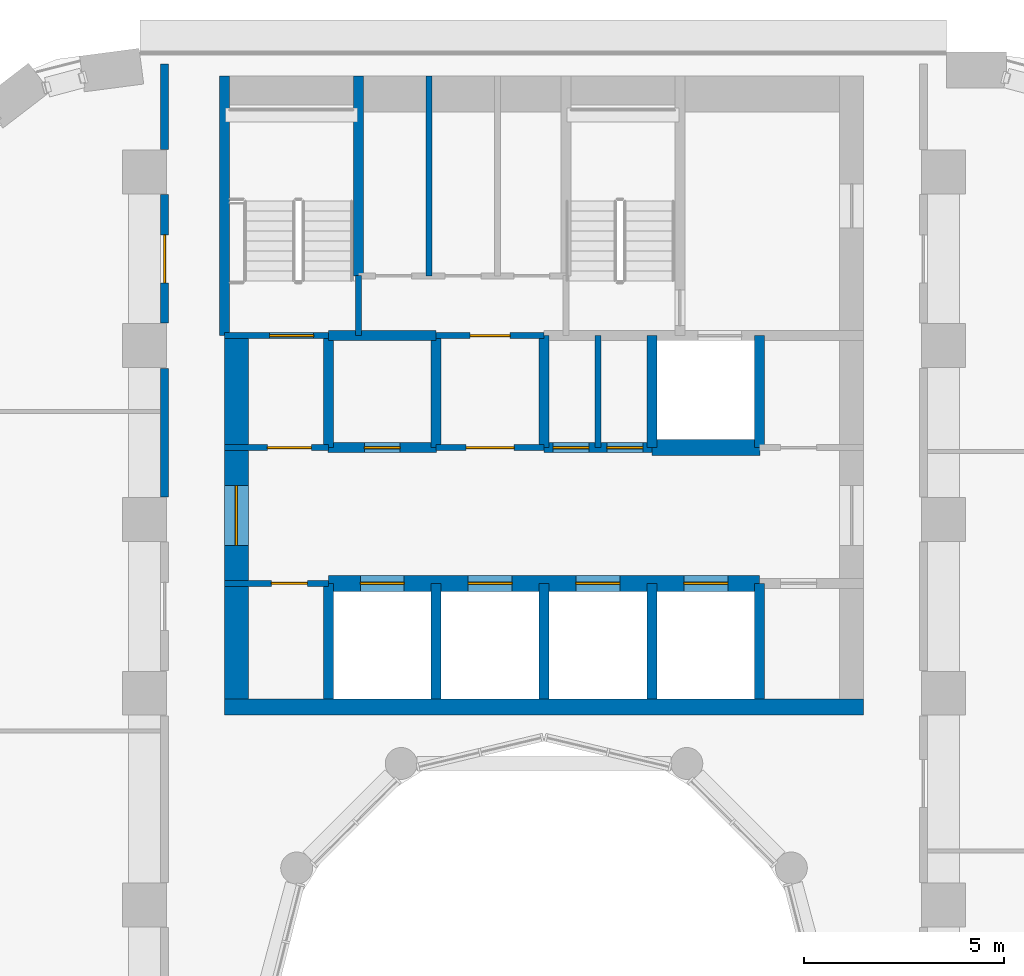
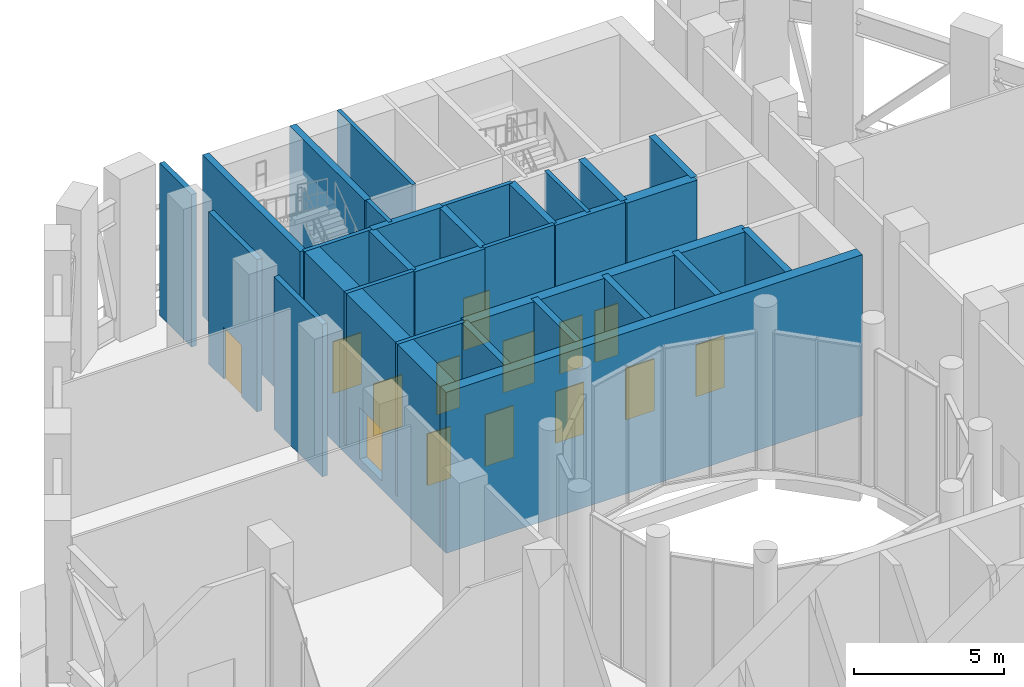
# One storey, part 10 of 20: 30 walls, 14 doors, 14 openings.
"""IFC4 building model written with IfcOpenShell, lengths in metres."""

import ifcopenshell
import ifcopenshell.guid

model = None  # the IFC model being written
_history = None  # IfcOwnerHistory: only IFC2X3 demands one
_inside = {}  # id of a spatial element -> (the spatial element, [elements in it])
_under = {}  # id of a project, library or spatial element -> (it, [spatial elements below it])
_declared = {}  # id of a project -> (the project, [libraries it declares])
_typed = {}  # id of a type object -> (the type object, [elements of that type])
_made_of = {}  # id of a material, layer set ... -> (it, [elements and type objects made of it])


def new_model(schema):
    """Start an empty IFC model of exactly this schema.

    Asked for "IFC4X3", IfcOpenShell would pick the latest addendum, in which some entities
    have other attributes; the version numbers below select the first issue.
    IFC2X3 requires an IfcOwnerHistory on every rooted entity: one is made here for all.
    """
    global model, _history
    if schema == "IFC4X3":
        model = ifcopenshell.file(schema_version=(4, 3, 0, 0))
    else:
        model = ifcopenshell.file(schema=schema)
    _inside.clear()
    _under.clear()
    _declared.clear()
    _typed.clear()
    _made_of.clear()
    _history = None
    if model.schema == "IFC2X3":
        org = make("IfcOrganization", Name="unknown")
        user = make(
            "IfcPersonAndOrganization",
            ThePerson=make("IfcPerson", FamilyName="unknown"),
            TheOrganization=org,
        )
        app = make(
            "IfcApplication",
            ApplicationDeveloper=org,
            Version="unknown",
            ApplicationFullName="unknown",
            ApplicationIdentifier="unknown",
        )
        _history = make(
            "IfcOwnerHistory",
            OwningUser=user,
            OwningApplication=app,
            ChangeAction="ADDED",
            CreationDate=0,
        )
    return model


def make(cls, **values):
    """One entity of the class cls with the attributes given. An attribute that is None is left unset."""
    return model.create_entity(
        cls, **{name: value for name, value in values.items() if value is not None}
    )


def rooted(cls, **values):
    """An entity with a GlobalId (a new one), such as an element, a storey or a relation."""
    return make(cls, GlobalId=ifcopenshell.guid.new(), OwnerHistory=_history, **values)


def si_unit(unit_type, name, prefix=None):
    """IfcSIUnit, for example si_unit("LENGTHUNIT", "METRE", prefix="MILLI")."""
    return make("IfcSIUnit", UnitType=unit_type, Prefix=prefix, Name=name)


def assignment(units):
    """IfcUnitAssignment: the units of a project."""
    return None if units is None else make("IfcUnitAssignment", Units=units)


def point(xyz):
    """IfcCartesianPoint."""
    return None if xyz is None else make("IfcCartesianPoint", Coordinates=xyz)


def direction(xyz):
    """IfcDirection."""
    return None if xyz is None else make("IfcDirection", DirectionRatios=xyz)


def frame(location, z_axis=None, x_axis=None):
    """IfcAxis2Placement3D, a coordinate frame: its origin and axes. An axis left out is left unset."""
    return make(
        "IfcAxis2Placement3D",
        Location=point(location),
        Axis=direction(z_axis),
        RefDirection=direction(x_axis),
    )


def frame_2d(location, x_axis=None):
    """IfcAxis2Placement2D, a coordinate frame in the plane: its origin and x axis."""
    return make(
        "IfcAxis2Placement2D", Location=point(location), RefDirection=direction(x_axis)
    )


def origin():
    """The frame at (0, 0, 0) with its axes left unset."""
    return frame((0.0, 0.0, 0.0))


def place(relative_to, where):
    """IfcLocalPlacement: puts the frame where relative to a parent placement (None: the world)."""
    return make(
        "IfcLocalPlacement", PlacementRelTo=relative_to, RelativePlacement=where
    )


def context(
    kind, dimensions, precision=None, world=None, true_north=None, identifier=None
):
    """IfcGeometricRepresentationContext, for example the 3D "Model" context."""
    return make(
        "IfcGeometricRepresentationContext",
        ContextIdentifier=identifier,
        ContextType=kind,
        CoordinateSpaceDimension=dimensions,
        Precision=precision,
        WorldCoordinateSystem=world,
        TrueNorth=true_north,
    )


def subcontext(parent, identifier, kind, view, scale=None):
    """IfcGeometricRepresentationSubContext, for example "Body" below "Model"."""
    return make(
        "IfcGeometricRepresentationSubContext",
        ContextIdentifier=identifier,
        ContextType=kind,
        ParentContext=parent,
        TargetScale=scale,
        TargetView=view,
    )


def project(units=None, contexts=None):
    """IfcProject with its units and contexts."""
    return rooted(
        "IfcProject",
        Name="project",
        RepresentationContexts=contexts,
        UnitsInContext=assignment(units),
    )


def spatial(cls, under=None, at=None, **own):
    """A site, building, storey or space (cls), placed at a placement, below another one or the project."""
    s = rooted(cls, ObjectPlacement=at, **own)
    if under is not None:
        _under.setdefault(under.id(), (under, []))[1].append(s)
    return s


def profile(cls, at=None, kind="AREA", **sizes):
    """A parametric profile (cls). Its sizes go by their IFC names, for example OverallWidth=200.0."""
    return make(cls, ProfileType=kind, Position=at, **sizes)


def rectangle(**sizes):
    """IfcRectangleProfileDef."""
    return profile("IfcRectangleProfileDef", **sizes)


def extrude(swept, where, along, depth):
    """IfcExtrudedAreaSolid: the profile swept, set in the frame where, extruded along a direction by depth."""
    return make(
        "IfcExtrudedAreaSolid",
        SweptArea=swept,
        Position=where,
        ExtrudedDirection=direction(along),
        Depth=depth,
    )


def shape(context_of_items, identifier, shape_type, items):
    """IfcShapeRepresentation: the items that make up one representation, for example the "Body"."""
    return make(
        "IfcShapeRepresentation",
        ContextOfItems=context_of_items,
        RepresentationIdentifier=identifier,
        RepresentationType=shape_type,
        Items=items,
    )


def material(Name=None, Category=None):
    """IfcMaterial."""
    return make("IfcMaterial", Name=Name, Category=Category)


def layer(
    of_material, thickness, ventilated=None, Name=None, Category=None, Priority=None
):
    """IfcMaterialLayer: one layer of a wall or slab, of a material (None: an air gap)."""
    return make(
        "IfcMaterialLayer",
        Material=of_material,
        LayerThickness=thickness,
        IsVentilated=ventilated,
        Name=Name,
        Category=Category,
        Priority=Priority,
    )


def layer_set(layers, Name=None):
    """IfcMaterialLayerSet."""
    return make("IfcMaterialLayerSet", MaterialLayers=layers, LayerSetName=Name)


def made_of(thing, what):
    """Note that an element or type object is made of a material, layer set ...; save() writes the relation."""
    if what is not None:
        _made_of.setdefault(what.id(), (what, []))[1].append(thing)
    return thing


def type_object(cls, material=None, **own):
    """A type object (cls), such as IfcWallType, which elements share."""
    return made_of(rooted(cls, **own), material)


def element(
    cls,
    number,
    at=None,
    inside=None,
    cuts=None,
    type_object=None,
    material=None,
    context=None,
    identifier="Body",
    shape_type=None,
    held_by="IfcProductDefinitionShape",
    body=None,
    shapes=None,
    **own,
):
    """One element of the class cls, such as IfcWall. Its Tag is "e" and its number.

    at: its placement. inside: the storey or other place that contains it. cuts: it is an
    opening in that element (IfcRelVoidsElement). A single representation is given by context,
    identifier, shape_type and body (its items); several are given by shapes. held_by: the class
    of the entity that holds the representations. save() writes the other relations.
    """
    e = rooted(cls, Tag="e%d" % number, ObjectPlacement=at, **own)
    if body is not None:
        shapes = [shape(context, identifier, shape_type, body)]
    if shapes is not None:
        e.Representation = make(held_by, Representations=shapes)
    if inside is not None:
        _inside.setdefault(inside.id(), (inside, []))[1].append(e)
    if cuts is not None:
        rooted(
            "IfcRelVoidsElement", RelatingBuildingElement=cuts, RelatedOpeningElement=e
        )
    if type_object is not None:
        _typed.setdefault(type_object.id(), (type_object, []))[1].append(e)
    return made_of(e, material)


def fill(opening, filler):
    """IfcRelFillsElement: the door or window that sits in an opening."""
    return rooted(
        "IfcRelFillsElement",
        RelatingOpeningElement=opening,
        RelatedBuildingElement=filler,
    )


def aggregate(whole, parts):
    """IfcRelAggregates: a whole, such as a stair, and the parts it consists of."""
    return rooted("IfcRelAggregates", RelatingObject=whole, RelatedObjects=parts)


def save(model, path):
    """Write the relations noted so far, then the file.

    IfcRelAggregates (storeys below a building ...), IfcRelContainedInSpatialStructure (elements
    in a storey), IfcRelDefinesByType, IfcRelAssociatesMaterial and IfcRelDeclares: one each for
    every whole, place, type object, material and project.
    """
    for whole, parts in _under.values():
        aggregate(whole, parts)
    for where, things in _inside.values():
        rooted(
            "IfcRelContainedInSpatialStructure",
            RelatedElements=things,
            RelatingStructure=where,
        )
    for kind, things in _typed.values():
        rooted("IfcRelDefinesByType", RelatedObjects=things, RelatingType=kind)
    for what, things in _made_of.values():
        rooted("IfcRelAssociatesMaterial", RelatedObjects=things, RelatingMaterial=what)
    for by, libraries in _declared.values():
        rooted("IfcRelDeclares", RelatingContext=by, RelatedDefinitions=libraries)
    model.write(path)


model = new_model("IFC4")

# Units and contexts
model_context = context("Model", 3, precision=1e-05, world=origin(), true_north=direction((0.0, 1.0)))
body_context = subcontext(model_context, "Body", "Model", "MODEL_VIEW")
ifc_project = project(units=[si_unit("LENGTHUNIT", "METRE"), si_unit("AREAUNIT", "SQUARE_METRE"), si_unit("VOLUMEUNIT", "CUBIC_METRE"), si_unit("PLANEANGLEUNIT", "RADIAN"), si_unit("MASSUNIT", "GRAM", prefix="KILO")], contexts=[model_context])

# Site, building, storey
site_placement = place(None, origin())
site = spatial("IfcSite", under=ifc_project, at=site_placement, CompositionType="ELEMENT")
building_placement = place(site_placement, origin())
building = spatial("IfcBuilding", under=site, at=building_placement, Name="Nakaniwa Court", CompositionType="ELEMENT")
storey_placement = place(building_placement, frame((0.0, 0.0, 71.10009765625)))
storey = spatial("IfcBuildingStorey", under=building, at=storey_placement, Name="S1", CompositionType="ELEMENT", Elevation=71.10009765625)

# Wall
ifc_material_1 = material(Name="Acoustic double stud partition")
ifc_layer_1 = layer(ifc_material_1, 0.199951171875)
ifc_layer_set_1 = layer_set([ifc_layer_1], Name="Acoustic double stud partition")
wall_type_1 = type_object("IfcWallType", Name="Acoustic double stud partition 200", PredefinedType="PARTITIONING", material=ifc_layer_set_1)
wall_1_placement = place(storey_placement, frame((70.5, 92.866943359375, 0.0), z_axis=(0.0, 0.0, 1.0), x_axis=(0.0, 1.0, 0.0)))
element("IfcWall", 1, at=wall_1_placement, inside=storey, type_object=wall_type_1, Name="Partition PW-094", PredefinedType="PARTITIONING", context=body_context, shape_type="SweptSolid", body=[
    extrude(rectangle(XDim=3.216064453125, YDim=0.199951171875, at=frame_2d((1.60791015625, 0.0))), origin(), (0.0, 0.0, 1.0), 6.18994140625),
])

# Wall, opening, door
wall_2_placement = place(storey_placement, frame((70.5, 97.217041015625, 0.0), z_axis=(0.0, 0.0, 1.0), x_axis=(0.0, 1.0, 0.0)))
wall_2 = element("IfcWall", 2, at=wall_2_placement, inside=storey, type_object=wall_type_1, Name="Partition PW-095", PredefinedType="PARTITIONING", context=body_context, shape_type="SweptSolid", body=[
    extrude(rectangle(XDim=3.216064453125, YDim=0.199951171875, at=frame_2d((1.60791015625, 0.0))), origin(), (0.0, 0.0, 1.0), 6.18994140625),
])
opening_1_placement = place(wall_2_placement, frame((1.008056640625, 0.0, 0.0)))
opening_1 = element("IfcOpeningElement", 3, at=opening_1_placement, cuts=wall_2, Name="Opening D-30-06", PredefinedType="OPENING", context=body_context, shape_type="SweptSolid", body=[
    extrude(rectangle(XDim=1.199951171875, YDim=2.10009765625, at=frame_2d((0.60009765625, 1.050048828125))), frame((0.0, 0.10986328125, 0.0), z_axis=(0.0, -1.0, 0.0), x_axis=(1.0, 0.0, 0.0)), (0.0, 0.0, 1.0), 0.219970703125),
])
ifc_material_2 = material(Name="Solid core timber door set, black veneer", Category="wood")
door_type_1 = type_object("IfcDoorType", Name="Internal door 1200", OperationType="NOTDEFINED", PredefinedType="DOOR", material=ifc_material_2)
door_1_placement = place(opening_1_placement, origin())
door_1 = element("IfcDoor", 4, at=door_1_placement, inside=storey, type_object=door_type_1, Name="Door D-30-06 S1-038", OperationType="SINGLE_SWING_LEFT", OverallHeight=2.10009765625, OverallWidth=1.199951171875, PredefinedType="DOOR", context=body_context, shape_type="SweptSolid", body=[
    extrude(rectangle(XDim=1.199951171875, YDim=2.10009765625, at=frame_2d((0.60009765625, 1.050048828125))), frame((0.0, 0.02490234375, 0.0), z_axis=(0.0, -1.0, 0.0), x_axis=(1.0, 0.0, 0.0)), (0.0, 0.0, 1.0), 0.050048828125),
])
fill(opening_1, door_1)

# Wall
wall_3_placement = place(storey_placement, frame((70.5, 101.56689453125, 0.0), z_axis=(0.0, 0.0, 1.0), x_axis=(0.0, 1.0, 0.0)))
element("IfcWall", 5, at=wall_3_placement, inside=storey, type_object=wall_type_1, Name="Partition PW-096", PredefinedType="PARTITIONING", context=body_context, shape_type="SweptSolid", body=[
    extrude(rectangle(XDim=2.133056640625, YDim=0.199951171875, at=frame_2d((1.06640625, 0.0))), origin(), (0.0, 0.0, 1.0), 6.18994140625),
])

# Wall, opening, door
ifc_material_3 = material(Name="Blockwork partition", Category="masonry")
ifc_layer_2 = layer(ifc_material_3, 0.14990234375)
ifc_layer_set_2 = layer_set([ifc_layer_2], Name="Blockwork partition")
wall_type_2 = type_object("IfcWallType", Name="Blockwork partition 150", PredefinedType="PARTITIONING", material=ifc_layer_set_2)
wall_4_placement = place(storey_placement, frame((74.60009765625, 90.699951171875, 0.0), z_axis=(0.0, 0.0, 1.0), x_axis=(-1.0, 0.0, 0.0)))
wall_4 = element("IfcWall", 6, at=wall_4_placement, inside=storey, type_object=wall_type_2, Name="Partition PW-003", PredefinedType="PARTITIONING", context=body_context, shape_type="SweptSolid", body=[
    extrude(rectangle(XDim=2.60009765625, YDim=0.14990234375, at=frame_2d((1.300048828125, 0.0))), origin(), (0.0, 0.0, 1.0), 6.18994140625),
])
opening_2_placement = place(wall_4_placement, frame((0.52490234375, 0.0, 0.0)))
opening_2 = element("IfcOpeningElement", 7, at=opening_2_placement, cuts=wall_4, Name="Opening D-05-01", PredefinedType="OPENING", context=body_context, shape_type="SweptSolid", body=[
    extrude(rectangle(XDim=0.89990234375, YDim=2.10009765625, at=frame_2d((0.449951171875, 1.050048828125))), frame((0.0, 0.0849609375, 0.0), z_axis=(0.0, -1.0, 0.0), x_axis=(1.0, 0.0, 0.0)), (0.0, 0.0, 1.0), 0.169921875),
])
ifc_material_4 = material(Name="Fire rated steel door set", Category="steel")
door_type_2 = type_object("IfcDoorType", Name="Service room door 900", OperationType="NOTDEFINED", PredefinedType="DOOR", material=ifc_material_4)
door_2_placement = place(opening_2_placement, origin())
door_2 = element("IfcDoor", 8, at=door_2_placement, inside=storey, type_object=door_type_2, Name="Door D-05-01 S1-001", OperationType="SINGLE_SWING_RIGHT", OverallHeight=2.10009765625, OverallWidth=0.89990234375, PredefinedType="DOOR", context=body_context, shape_type="SweptSolid", body=[
    extrude(rectangle(XDim=0.89990234375, YDim=2.10009765625, at=frame_2d((0.449951171875, 1.050048828125))), frame((0.0, 0.02490234375, 0.0), z_axis=(0.0, -1.0, 0.0), x_axis=(1.0, 0.0, 0.0)), (0.0, 0.0, 1.0), 0.050048828125),
])
fill(opening_2, door_2)

wall_5_placement = place(storey_placement, frame((72.0, 94.10009765625, 0.0), z_axis=(0.0, 0.0, 1.0), x_axis=(1.0, 0.0, 0.0)))
wall_5 = element("IfcWall", 9, at=wall_5_placement, inside=storey, type_object=wall_type_2, Name="Partition PW-016", PredefinedType="PARTITIONING", context=body_context, shape_type="SweptSolid", body=[
    extrude(rectangle(XDim=2.60302734375, YDim=0.14990234375, at=frame_2d((1.301513671875, 0.0))), origin(), (0.0, 0.0, 1.0), 6.18994140625),
])
opening_3_placement = place(wall_5_placement, frame((1.074951171875, 0.0, 0.0)))
opening_3 = element("IfcOpeningElement", 10, at=opening_3_placement, cuts=wall_5, Name="Opening D-08-01", PredefinedType="OPENING", context=body_context, shape_type="SweptSolid", body=[
    extrude(rectangle(XDim=1.10009765625, YDim=2.10009765625, at=frame_2d((0.550048828125, 1.050048828125))), frame((0.0, 0.0849609375, 0.0), z_axis=(0.0, -1.0, 0.0), x_axis=(1.0, 0.0, 0.0)), (0.0, 0.0, 1.0), 0.169921875),
])
door_type_3 = type_object("IfcDoorType", Name="Stair lobby door 1100", OperationType="NOTDEFINED", PredefinedType="DOOR", material=ifc_material_4)
door_3_placement = place(opening_3_placement, origin())
door_3 = element("IfcDoor", 11, at=door_3_placement, inside=storey, type_object=door_type_3, Name="Door D-08-01 S1-003", OperationType="SINGLE_SWING_RIGHT", OverallHeight=2.10009765625, OverallWidth=1.10009765625, PredefinedType="DOOR", context=body_context, shape_type="SweptSolid", body=[
    extrude(rectangle(XDim=1.10009765625, YDim=2.10009765625, at=frame_2d((0.550048828125, 1.050048828125))), frame((0.0, 0.02490234375, 0.0), z_axis=(0.0, -1.0, 0.0), x_axis=(1.0, 0.0, 0.0)), (0.0, 0.0, 1.0), 0.050048828125),
])
fill(opening_3, door_3)

wall_6_placement = place(storey_placement, frame((77.297119140625, 94.10009765625, 0.0), z_axis=(0.0, 0.0, 1.0), x_axis=(1.0, 0.0, 0.0)))
wall_6 = element("IfcWall", 12, at=wall_6_placement, inside=storey, type_object=wall_type_2, Name="Partition PW-017", PredefinedType="PARTITIONING", context=body_context, shape_type="SweptSolid", body=[
    extrude(rectangle(XDim=2.705810546875, YDim=0.14990234375, at=frame_2d((1.35302734375, 0.0))), origin(), (0.0, 0.0, 1.0), 6.18994140625),
])
opening_4_placement = place(wall_6_placement, frame((0.7529296875, 0.0, 0.0)))
opening_4 = element("IfcOpeningElement", 13, at=opening_4_placement, cuts=wall_6, Name="Opening D-06-01", PredefinedType="OPENING", context=body_context, shape_type="SweptSolid", body=[
    extrude(rectangle(XDim=1.199951171875, YDim=2.10009765625, at=frame_2d((0.60009765625, 1.050048828125))), frame((0.0, 0.0849609375, 0.0), z_axis=(0.0, -1.0, 0.0), x_axis=(1.0, 0.0, 0.0)), (0.0, 0.0, 1.0), 0.169921875),
])
ifc_material_5 = material(Name="Fire rated steel double door set", Category="steel")
door_type_4 = type_object("IfcDoorType", Name="Service passage double door 1200", OperationType="NOTDEFINED", PredefinedType="DOOR", material=ifc_material_5)
door_4_placement = place(opening_4_placement, origin())
door_4 = element("IfcDoor", 14, at=door_4_placement, inside=storey, type_object=door_type_4, Name="Door D-06-01 S1-005", OperationType="DOUBLE_DOOR_SINGLE_SWING", OverallHeight=2.10009765625, OverallWidth=1.199951171875, PredefinedType="DOOR", context=body_context, shape_type="SweptSolid", body=[
    extrude(rectangle(XDim=1.199951171875, YDim=2.10009765625, at=frame_2d((0.60009765625, 1.050048828125))), frame((0.0, 0.02490234375, 0.0), z_axis=(0.0, -1.0, 0.0), x_axis=(1.0, 0.0, 0.0)), (0.0, 0.0, 1.0), 0.050048828125),
])
fill(opening_4, door_4)

wall_7_placement = place(storey_placement, frame((77.300048828125, 96.89990234375, 0.0), z_axis=(0.0, 0.0, 1.0), x_axis=(1.0, 0.0, 0.0)))
wall_7 = element("IfcWall", 15, at=wall_7_placement, inside=storey, type_object=wall_type_2, Name="Partition PW-025", PredefinedType="PARTITIONING", context=body_context, shape_type="SweptSolid", body=[
    extrude(rectangle(XDim=2.699951171875, YDim=0.14990234375, at=frame_2d((1.35009765625, 0.0))), origin(), (0.0, 0.0, 1.0), 6.18994140625),
])
opening_5_placement = place(wall_7_placement, frame((0.85009765625, 0.0, 0.0)))
opening_5 = element("IfcOpeningElement", 16, at=opening_5_placement, cuts=wall_7, Name="Opening D-23-01", PredefinedType="OPENING", context=body_context, shape_type="SweptSolid", body=[
    extrude(rectangle(XDim=1.0, YDim=2.10009765625, at=frame_2d((0.5, 1.050048828125))), frame((0.0, 0.0849609375, 0.0), z_axis=(0.0, -1.0, 0.0), x_axis=(1.0, 0.0, 0.0)), (0.0, 0.0, 1.0), 0.169921875),
])
door_type_5 = type_object("IfcDoorType", Name="Service room door 1000", OperationType="NOTDEFINED", PredefinedType="DOOR", material=ifc_material_4)
door_5_placement = place(opening_5_placement, origin())
door_5 = element("IfcDoor", 17, at=door_5_placement, inside=storey, type_object=door_type_5, Name="Door D-23-01 S1-009", OperationType="SINGLE_SWING_RIGHT", OverallHeight=2.10009765625, OverallWidth=1.0, PredefinedType="DOOR", context=body_context, shape_type="SweptSolid", body=[
    extrude(rectangle(XDim=1.0, YDim=2.10009765625, at=frame_2d((0.5, 1.050048828125))), frame((0.0, 0.02490234375, 0.0), z_axis=(0.0, -1.0, 0.0), x_axis=(1.0, 0.0, 0.0)), (0.0, 0.0, 1.0), 0.050048828125),
])
fill(opening_5, door_5)

# Walls
wall_8_placement = place(storey_placement, frame((81.35009765625, 94.10009765625, 0.0), z_axis=(0.0, 0.0, 1.0), x_axis=(0.0, 1.0, 0.0)))
element("IfcWall", 18, at=wall_8_placement, inside=storey, type_object=wall_type_2, Name="Partition PW-026", PredefinedType="PARTITIONING", context=body_context, shape_type="SweptSolid", body=[
    extrude(rectangle(XDim=2.7998046875, YDim=0.14990234375, at=frame_2d((1.39990234375, 0.0))), origin(), (0.0, 0.0, 1.0), 6.18994140625),
])
wall_9_placement = place(storey_placement, frame((77.117919921875, 98.39990234375, 0.0), z_axis=(0.0, 0.0, 1.0), x_axis=(0.0, 1.0, 0.0)))
element("IfcWall", 19, at=wall_9_placement, inside=storey, type_object=wall_type_2, Name="Partition PW-034", PredefinedType="PARTITIONING", context=body_context, shape_type="SweptSolid", body=[
    extrude(rectangle(XDim=5.0, YDim=0.14990234375, at=frame_2d((2.5, 0.0))), origin(), (0.0, 0.0, 1.0), 6.18994140625),
])

# Wall, opening, door
ifc_material_6 = material(Name="Concrete C100/115", Category="concrete")
ifc_layer_3 = layer(ifc_material_6, 0.60009765625)
ifc_layer_set_3 = layer_set([ifc_layer_3], Name="Concrete C100/115")
wall_type_3 = type_object("IfcWallType", Name="Concrete core side wall 600 C100", PredefinedType="SHEAR", material=ifc_layer_set_3)
wall_10_placement = place(storey_placement, frame((72.300048828125, 87.800048828125, -0.35009765625), z_axis=(0.0, 0.0, 1.0), x_axis=(0.0, 1.0, 0.0)))
wall_10 = element("IfcWall", 20, at=wall_10_placement, inside=storey, type_object=wall_type_3, Name="Core wall SW-04", PredefinedType="SHEAR", context=body_context, shape_type="SweptSolid", body=[
    extrude(rectangle(XDim=9.099853515625, YDim=0.60009765625, at=frame_2d((4.5498046875, 0.0))), origin(), (0.0, 0.0, 1.0), 6.5400390625),
])
opening_6_placement = place(wall_10_placement, frame((3.85009765625, 0.0, 0.35009765625)))
opening_6 = element("IfcOpeningElement", 21, at=opening_6_placement, cuts=wall_10, Name="Opening D-07-02", PredefinedType="OPENING", context=body_context, shape_type="SweptSolid", body=[
    extrude(rectangle(XDim=1.5, YDim=2.10009765625, at=frame_2d((0.75, 1.050048828125))), frame((0.0, 0.31005859375, 0.0), z_axis=(0.0, -1.0, 0.0), x_axis=(1.0, 0.0, 0.0)), (0.0, 0.0, 1.0), 0.6201171875),
])
ifc_material_7 = material(Name="Glazed fire rated steel double door set", Category="steel")
door_type_6 = type_object("IfcDoorType", Name="Lobby double door 1500", OperationType="NOTDEFINED", PredefinedType="DOOR", material=ifc_material_7)
door_6_placement = place(opening_6_placement, origin())
door_6 = element("IfcDoor", 22, at=door_6_placement, inside=storey, type_object=door_type_6, Name="Door D-07-02 S1-040", OperationType="DOUBLE_DOOR_SINGLE_SWING", OverallHeight=2.10009765625, OverallWidth=1.5, PredefinedType="DOOR", context=body_context, shape_type="SweptSolid", body=[
    extrude(rectangle(XDim=1.5, YDim=2.10009765625, at=frame_2d((0.75, 1.050048828125))), frame((0.0, 0.02490234375, 0.0), z_axis=(0.0, -1.0, 0.0), x_axis=(1.0, 0.0, 0.0)), (0.0, 0.0, 1.0), 0.050048828125),
])
fill(opening_6, door_6)

# Wall, openings, doors
ifc_layer_4 = layer(ifc_material_6, 0.39990234375)
ifc_layer_set_4 = layer_set([ifc_layer_4], Name="Concrete C100/115")
wall_type_4 = type_object("IfcWallType", Name="Concrete core spine wall 400 C100", PredefinedType="SHEAR", material=ifc_layer_set_4)
wall_11_placement = place(storey_placement, frame((74.60009765625, 90.699951171875, -0.35009765625), z_axis=(0.0, 0.0, 1.0), x_axis=(1.0, 0.0, 0.0)))
wall_11 = element("IfcWall", 23, at=wall_11_placement, inside=storey, type_object=wall_type_4, Name="Core wall SW-07", PredefinedType="SHEAR", context=body_context, shape_type="SweptSolid", body=[
    extrude(rectangle(XDim=10.7998046875, YDim=0.39990234375, at=frame_2d((5.39990234375, 0.0))), origin(), (0.0, 0.0, 1.0), 6.5400390625),
])
opening_7_placement = place(wall_11_placement, frame((0.800048828125, 0.0, 0.35009765625)))
opening_7 = element("IfcOpeningElement", 24, at=opening_7_placement, cuts=wall_11, Name="Opening LD01", PredefinedType="OPENING", context=body_context, shape_type="SweptSolid", body=[
    extrude(rectangle(XDim=1.10009765625, YDim=2.10009765625, at=frame_2d((0.550048828125, 1.050048828125))), frame((0.0, 0.2099609375, 0.0), z_axis=(0.0, -1.0, 0.0), x_axis=(1.0, 0.0, 0.0)), (0.0, 0.0, 1.0), 0.419921875),
])
opening_8_placement = place(wall_11_placement, frame((3.5, 0.0, 0.35009765625)))
opening_8 = element("IfcOpeningElement", 25, at=opening_8_placement, cuts=wall_11, Name="Opening LD02", PredefinedType="OPENING", context=body_context, shape_type="SweptSolid", body=[
    extrude(rectangle(XDim=1.10009765625, YDim=2.10009765625, at=frame_2d((0.550048828125, 1.050048828125))), frame((0.0, 0.2099609375, 0.0), z_axis=(0.0, -1.0, 0.0), x_axis=(1.0, 0.0, 0.0)), (0.0, 0.0, 1.0), 0.419921875),
])
opening_9_placement = place(wall_11_placement, frame((6.199951171875, 0.0, 0.35009765625)))
opening_9 = element("IfcOpeningElement", 26, at=opening_9_placement, cuts=wall_11, Name="Opening LD03", PredefinedType="OPENING", context=body_context, shape_type="SweptSolid", body=[
    extrude(rectangle(XDim=1.10009765625, YDim=2.10009765625, at=frame_2d((0.550048828125, 1.050048828125))), frame((0.0, 0.2099609375, 0.0), z_axis=(0.0, -1.0, 0.0), x_axis=(1.0, 0.0, 0.0)), (0.0, 0.0, 1.0), 0.419921875),
])
opening_10_placement = place(wall_11_placement, frame((8.89990234375, 0.0, 0.35009765625)))
opening_10 = element("IfcOpeningElement", 27, at=opening_10_placement, cuts=wall_11, Name="Opening LD04", PredefinedType="OPENING", context=body_context, shape_type="SweptSolid", body=[
    extrude(rectangle(XDim=1.10009765625, YDim=2.10009765625, at=frame_2d((0.550048828125, 1.050048828125))), frame((0.0, 0.2099609375, 0.0), z_axis=(0.0, -1.0, 0.0), x_axis=(1.0, 0.0, 0.0)), (0.0, 0.0, 1.0), 0.419921875),
])
ifc_material_8 = material(Name="Stainless steel sliding lift landing door", Category="steel")
door_type_7 = type_object("IfcDoorType", Name="Lift landing door 1100", OperationType="NOTDEFINED", PredefinedType="DOOR", material=ifc_material_8)
door_7_placement = place(opening_7_placement, origin())
door_7 = element("IfcDoor", 28, at=door_7_placement, inside=storey, type_object=door_type_7, Name="Lift landing door LD01 S1-001", OperationType="SLIDING_TO_LEFT", OverallHeight=2.10009765625, OverallWidth=1.10009765625, PredefinedType="DOOR", context=body_context, shape_type="SweptSolid", body=[
    extrude(rectangle(XDim=1.10009765625, YDim=2.10009765625, at=frame_2d((0.550048828125, 1.050048828125))), frame((0.0, 0.02490234375, 0.0), z_axis=(0.0, -1.0, 0.0), x_axis=(1.0, 0.0, 0.0)), (0.0, 0.0, 1.0), 0.050048828125),
])
fill(opening_7, door_7)
door_8_placement = place(opening_8_placement, origin())
door_8 = element("IfcDoor", 29, at=door_8_placement, inside=storey, type_object=door_type_7, Name="Lift landing door LD02 S1-002", OperationType="SLIDING_TO_LEFT", OverallHeight=2.10009765625, OverallWidth=1.10009765625, PredefinedType="DOOR", context=body_context, shape_type="SweptSolid", body=[
    extrude(rectangle(XDim=1.10009765625, YDim=2.10009765625, at=frame_2d((0.550048828125, 1.050048828125))), frame((0.0, 0.02490234375, 0.0), z_axis=(0.0, -1.0, 0.0), x_axis=(1.0, 0.0, 0.0)), (0.0, 0.0, 1.0), 0.050048828125),
])
fill(opening_8, door_8)
door_9_placement = place(opening_9_placement, origin())
door_9 = element("IfcDoor", 30, at=door_9_placement, inside=storey, type_object=door_type_7, Name="Lift landing door LD03 S1-003", OperationType="SLIDING_TO_LEFT", OverallHeight=2.10009765625, OverallWidth=1.10009765625, PredefinedType="DOOR", context=body_context, shape_type="SweptSolid", body=[
    extrude(rectangle(XDim=1.10009765625, YDim=2.10009765625, at=frame_2d((0.550048828125, 1.050048828125))), frame((0.0, 0.02490234375, 0.0), z_axis=(0.0, -1.0, 0.0), x_axis=(1.0, 0.0, 0.0)), (0.0, 0.0, 1.0), 0.050048828125),
])
fill(opening_9, door_9)
door_10_placement = place(opening_10_placement, origin())
door_10 = element("IfcDoor", 31, at=door_10_placement, inside=storey, type_object=door_type_7, Name="Lift landing door LD04 S1-004", OperationType="SLIDING_TO_LEFT", OverallHeight=2.10009765625, OverallWidth=1.10009765625, PredefinedType="DOOR", context=body_context, shape_type="SweptSolid", body=[
    extrude(rectangle(XDim=1.10009765625, YDim=2.10009765625, at=frame_2d((0.550048828125, 1.050048828125))), frame((0.0, 0.02490234375, 0.0), z_axis=(0.0, -1.0, 0.0), x_axis=(1.0, 0.0, 0.0)), (0.0, 0.0, 1.0), 0.050048828125),
])
fill(opening_10, door_10)

# Wall
wall_12_placement = place(storey_placement, frame((82.697021484375, 94.10009765625, -0.35009765625), z_axis=(0.0, 0.0, 1.0), x_axis=(1.0, 0.0, 0.0)))
element("IfcWall", 32, at=wall_12_placement, inside=storey, type_object=wall_type_4, Name="Core wall SW-21", PredefinedType="SHEAR", context=body_context, shape_type="SweptSolid", body=[
    extrude(rectangle(XDim=2.7060546875, YDim=0.39990234375, at=frame_2d((1.35302734375, 0.0))), origin(), (0.0, 0.0, 1.0), 6.5400390625),
])

# Wall, opening, door
ifc_layer_5 = layer(ifc_material_6, 0.14990234375)
ifc_layer_set_5 = layer_set([ifc_layer_5], Name="Concrete C100/115")
wall_type_5 = type_object("IfcWallType", Name="Concrete core wall 150 C100", PredefinedType="SHEAR", material=ifc_layer_set_5)
wall_13_placement = place(storey_placement, frame((74.60009765625, 96.89990234375, -0.35009765625), z_axis=(0.0, 0.0, 1.0), x_axis=(-1.0, 0.0, 0.0)))
wall_13 = element("IfcWall", 33, at=wall_13_placement, inside=storey, type_object=wall_type_5, Name="Core wall SW-22", PredefinedType="SHEAR", context=body_context, shape_type="SweptSolid", body=[
    extrude(rectangle(XDim=2.60009765625, YDim=0.14990234375, at=frame_2d((1.300048828125, 0.0))), origin(), (0.0, 0.0, 1.0), 6.5400390625),
])
opening_11_placement = place(wall_13_placement, frame((0.3701171875, 0.0, 0.35009765625)))
opening_11 = element("IfcOpeningElement", 34, at=opening_11_placement, cuts=wall_13, Name="Opening D-09-01", PredefinedType="OPENING", context=body_context, shape_type="SweptSolid", body=[
    extrude(rectangle(XDim=1.10009765625, YDim=2.10009765625, at=frame_2d((0.550048828125, 1.050048828125))), frame((0.0, 0.0849609375, 0.0), z_axis=(0.0, -1.0, 0.0), x_axis=(1.0, 0.0, 0.0)), (0.0, 0.0, 1.0), 0.169921875),
])
door_type_8 = type_object("IfcDoorType", Name="Stair door 1100", OperationType="NOTDEFINED", PredefinedType="DOOR", material=ifc_material_4)
door_11_placement = place(opening_11_placement, origin())
door_11 = element("IfcDoor", 35, at=door_11_placement, inside=storey, type_object=door_type_8, Name="Door D-09-01 S1-013", OperationType="SINGLE_SWING_LEFT", OverallHeight=2.10009765625, OverallWidth=1.10009765625, PredefinedType="DOOR", context=body_context, shape_type="SweptSolid", body=[
    extrude(rectangle(XDim=1.10009765625, YDim=2.10009765625, at=frame_2d((0.550048828125, 1.050048828125))), frame((0.0, 0.02490234375, 0.0), z_axis=(0.0, -1.0, 0.0), x_axis=(1.0, 0.0, 0.0)), (0.0, 0.0, 1.0), 0.050048828125),
])
fill(opening_11, door_11)

# Walls
wall_14_placement = place(storey_placement, frame((75.35009765625, 96.89990234375, -0.35009765625), z_axis=(0.0, 0.0, 1.0), x_axis=(0.0, 1.0, 0.0)))
element("IfcWall", 36, at=wall_14_placement, inside=storey, type_object=wall_type_5, Name="Core wall SW-27", PredefinedType="SHEAR", context=body_context, shape_type="SweptSolid", body=[
    extrude(rectangle(XDim=1.503173828125, YDim=0.14990234375, at=frame_2d((0.75146484375, 0.0))), origin(), (0.0, 0.0, 1.0), 6.5400390625),
])
ifc_layer_6 = layer(ifc_material_6, 0.25)
ifc_layer_set_6 = layer_set([ifc_layer_6], Name="Concrete C100/115")
wall_type_6 = type_object("IfcWallType", Name="Concrete core wall 250 C100", PredefinedType="SHEAR", material=ifc_layer_set_6)
wall_15_placement = place(storey_placement, frame((72.0, 96.89990234375, -0.35009765625), z_axis=(0.0, 0.0, 1.0), x_axis=(0.0, 1.0, 0.0)))
element("IfcWall", 37, at=wall_15_placement, inside=storey, type_object=wall_type_6, Name="Core wall SW-29", PredefinedType="SHEAR", context=body_context, shape_type="SweptSolid", body=[
    extrude(rectangle(XDim=6.5, YDim=0.25, at=frame_2d((3.25, 0.0))), origin(), (0.0, 0.0, 1.0), 6.5400390625),
])
ifc_layer_7 = layer(ifc_material_6, 0.39990234375)
ifc_layer_set_7 = layer_set([ifc_layer_7], Name="Concrete C100/115")
wall_type_7 = type_object("IfcWallType", Name="Concrete core well wall 400 C100", PredefinedType="SHEAR", material=ifc_layer_set_7)
wall_16_placement = place(storey_placement, frame((72.00390625, 87.60009765625, -0.35009765625), z_axis=(0.0, 0.0, 1.0), x_axis=(1.0, 0.0, 0.0)))
element("IfcWall", 38, at=wall_16_placement, inside=storey, type_object=wall_type_7, Name="Core wall SW-101", PredefinedType="SHEAR", context=body_context, shape_type="SweptSolid", body=[
    extrude(rectangle(XDim=15.9921875, YDim=0.39990234375, at=frame_2d((7.99609375, 0.0))), origin(), (0.0, 0.0, 1.0), 6.5400390625),
])
ifc_layer_8 = layer(ifc_material_6, 0.25)
ifc_layer_set_8 = layer_set([ifc_layer_8], Name="Concrete C100/115")
wall_type_8 = type_object("IfcWallType", Name="Concrete shaft wall 250 C100", PredefinedType="SHEAR", material=ifc_layer_set_8)
wall_17_placement = place(storey_placement, frame((74.60009765625, 87.800048828125, -0.35009765625), z_axis=(0.0, 0.0, 1.0), x_axis=(0.0, 1.0, 0.0)))
element("IfcWall", 39, at=wall_17_placement, inside=storey, type_object=wall_type_8, Name="Core wall SW-01", PredefinedType="SHEAR", context=body_context, shape_type="SweptSolid", body=[
    extrude(rectangle(XDim=2.89990234375, YDim=0.25, at=frame_2d((1.449951171875, 0.0))), origin(), (0.0, 0.0, 1.0), 6.5400390625),
])
wall_18_placement = place(storey_placement, frame((74.60009765625, 94.10009765625, -0.35009765625), z_axis=(0.0, 0.0, 1.0), x_axis=(0.0, 1.0, 0.0)))
element("IfcWall", 40, at=wall_18_placement, inside=storey, type_object=wall_type_8, Name="Core wall SW-02", PredefinedType="SHEAR", context=body_context, shape_type="SweptSolid", body=[
    extrude(rectangle(XDim=2.7998046875, YDim=0.25, at=frame_2d((1.39990234375, 0.0))), origin(), (0.0, 0.0, 1.0), 6.5400390625),
])
wall_19_placement = place(storey_placement, frame((77.300048828125, 87.800048828125, -0.35009765625), z_axis=(0.0, 0.0, 1.0), x_axis=(0.0, 1.0, 0.0)))
element("IfcWall", 41, at=wall_19_placement, inside=storey, type_object=wall_type_8, Name="Core wall SW-05", PredefinedType="SHEAR", context=body_context, shape_type="SweptSolid", body=[
    extrude(rectangle(XDim=2.89990234375, YDim=0.25, at=frame_2d((1.449951171875, 0.0))), origin(), (0.0, 0.0, 1.0), 6.5400390625),
])
wall_20_placement = place(storey_placement, frame((77.300048828125, 94.10009765625, -0.35009765625), z_axis=(0.0, 0.0, 1.0), x_axis=(0.0, 1.0, 0.0)))
element("IfcWall", 42, at=wall_20_placement, inside=storey, type_object=wall_type_8, Name="Core wall SW-06", PredefinedType="SHEAR", context=body_context, shape_type="SweptSolid", body=[
    extrude(rectangle(XDim=2.7998046875, YDim=0.25, at=frame_2d((1.39990234375, 0.0))), origin(), (0.0, 0.0, 1.0), 6.5400390625),
])
wall_21_placement = place(storey_placement, frame((80.0, 87.800048828125, -0.35009765625), z_axis=(0.0, 0.0, 1.0), x_axis=(0.0, 1.0, 0.0)))
element("IfcWall", 43, at=wall_21_placement, inside=storey, type_object=wall_type_8, Name="Core wall SW-08", PredefinedType="SHEAR", context=body_context, shape_type="SweptSolid", body=[
    extrude(rectangle(XDim=2.89990234375, YDim=0.25, at=frame_2d((1.449951171875, 0.0))), origin(), (0.0, 0.0, 1.0), 6.5400390625),
])
wall_22_placement = place(storey_placement, frame((80.0, 94.10009765625, -0.35009765625), z_axis=(0.0, 0.0, 1.0), x_axis=(0.0, 1.0, 0.0)))
element("IfcWall", 44, at=wall_22_placement, inside=storey, type_object=wall_type_8, Name="Core wall SW-09", PredefinedType="SHEAR", context=body_context, shape_type="SweptSolid", body=[
    extrude(rectangle(XDim=2.7998046875, YDim=0.25, at=frame_2d((1.39990234375, 0.0))), origin(), (0.0, 0.0, 1.0), 6.5400390625),
])
wall_23_placement = place(storey_placement, frame((82.699951171875, 87.800048828125, -0.35009765625), z_axis=(0.0, 0.0, 1.0), x_axis=(0.0, 1.0, 0.0)))
element("IfcWall", 45, at=wall_23_placement, inside=storey, type_object=wall_type_8, Name="Core wall SW-10", PredefinedType="SHEAR", context=body_context, shape_type="SweptSolid", body=[
    extrude(rectangle(XDim=2.89990234375, YDim=0.25, at=frame_2d((1.449951171875, 0.0))), origin(), (0.0, 0.0, 1.0), 6.5400390625),
])
wall_24_placement = place(storey_placement, frame((82.699951171875, 94.10009765625, -0.35009765625), z_axis=(0.0, 0.0, 1.0), x_axis=(0.0, 1.0, 0.0)))
element("IfcWall", 46, at=wall_24_placement, inside=storey, type_object=wall_type_8, Name="Core wall SW-11", PredefinedType="SHEAR", context=body_context, shape_type="SweptSolid", body=[
    extrude(rectangle(XDim=2.7998046875, YDim=0.25, at=frame_2d((1.39990234375, 0.0))), origin(), (0.0, 0.0, 1.0), 6.5400390625),
])
wall_25_placement = place(storey_placement, frame((85.39990234375, 87.800048828125, -0.35009765625), z_axis=(0.0, 0.0, 1.0), x_axis=(0.0, 1.0, 0.0)))
element("IfcWall", 47, at=wall_25_placement, inside=storey, type_object=wall_type_8, Name="Core wall SW-12", PredefinedType="SHEAR", context=body_context, shape_type="SweptSolid", body=[
    extrude(rectangle(XDim=2.89990234375, YDim=0.25, at=frame_2d((1.449951171875, 0.0))), origin(), (0.0, 0.0, 1.0), 6.5400390625),
])
wall_26_placement = place(storey_placement, frame((85.39990234375, 94.10009765625, -0.35009765625), z_axis=(0.0, 0.0, 1.0), x_axis=(0.0, 1.0, 0.0)))
element("IfcWall", 48, at=wall_26_placement, inside=storey, type_object=wall_type_8, Name="Core wall SW-13", PredefinedType="SHEAR", context=body_context, shape_type="SweptSolid", body=[
    extrude(rectangle(XDim=2.7998046875, YDim=0.25, at=frame_2d((1.39990234375, 0.0))), origin(), (0.0, 0.0, 1.0), 6.5400390625),
])

# Wall, opening, door
wall_27_placement = place(storey_placement, frame((74.596923828125, 94.10009765625, -0.35009765625), z_axis=(0.0, 0.0, 1.0), x_axis=(1.0, 0.0, 0.0)))
wall_27 = element("IfcWall", 49, at=wall_27_placement, inside=storey, type_object=wall_type_8, Name="Core wall SW-19", PredefinedType="SHEAR", context=body_context, shape_type="SweptSolid", body=[
    extrude(rectangle(XDim=2.7060546875, YDim=0.25, at=frame_2d((1.35302734375, 0.0))), origin(), (0.0, 0.0, 1.0), 6.5400390625),
])
opening_12_placement = place(wall_27_placement, frame((0.903076171875, 0.0, 0.35009765625)))
opening_12 = element("IfcOpeningElement", 50, at=opening_12_placement, cuts=wall_27, Name="Opening D-05-03", PredefinedType="OPENING", context=body_context, shape_type="SweptSolid", body=[
    extrude(rectangle(XDim=0.89990234375, YDim=2.10009765625, at=frame_2d((0.449951171875, 1.050048828125))), frame((0.0, 0.135009765625, 0.0), z_axis=(0.0, -1.0, 0.0), x_axis=(1.0, 0.0, 0.0)), (0.0, 0.0, 1.0), 0.27001953125),
])
door_12_placement = place(opening_12_placement, origin())
door_12 = element("IfcDoor", 51, at=door_12_placement, inside=storey, type_object=door_type_2, Name="Door D-05-03 S1-004", OperationType="SINGLE_SWING_LEFT", OverallHeight=2.10009765625, OverallWidth=0.89990234375, PredefinedType="DOOR", context=body_context, shape_type="SweptSolid", body=[
    extrude(rectangle(XDim=0.89990234375, YDim=2.10009765625, at=frame_2d((0.449951171875, 1.050048828125))), frame((0.0, 0.02490234375, 0.0), z_axis=(0.0, -1.0, 0.0), x_axis=(1.0, 0.0, 0.0)), (0.0, 0.0, 1.0), 0.050048828125),
])
fill(opening_12, door_12)

# Wall, openings, doors
wall_28_placement = place(storey_placement, frame((79.9970703125, 94.10009765625, -0.35009765625), z_axis=(0.0, 0.0, 1.0), x_axis=(1.0, 0.0, 0.0)))
wall_28 = element("IfcWall", 52, at=wall_28_placement, inside=storey, type_object=wall_type_8, Name="Core wall SW-20", PredefinedType="SHEAR", context=body_context, shape_type="SweptSolid", body=[
    extrude(rectangle(XDim=2.705810546875, YDim=0.25, at=frame_2d((1.35302734375, 0.0))), origin(), (0.0, 0.0, 1.0), 6.5400390625),
])
opening_13_placement = place(wall_28_placement, frame((0.22802734375, 0.0, 0.35009765625)))
opening_13 = element("IfcOpeningElement", 53, at=opening_13_placement, cuts=wall_28, Name="Opening D-05-04", PredefinedType="OPENING", context=body_context, shape_type="SweptSolid", body=[
    extrude(rectangle(XDim=0.89990234375, YDim=2.10009765625, at=frame_2d((0.449951171875, 1.050048828125))), frame((0.0, 0.135009765625, 0.0), z_axis=(0.0, -1.0, 0.0), x_axis=(1.0, 0.0, 0.0)), (0.0, 0.0, 1.0), 0.27001953125),
])
opening_14_placement = place(wall_28_placement, frame((1.577880859375, 0.0, 0.35009765625)))
opening_14 = element("IfcOpeningElement", 54, at=opening_14_placement, cuts=wall_28, Name="Opening D-05-05", PredefinedType="OPENING", context=body_context, shape_type="SweptSolid", body=[
    extrude(rectangle(XDim=0.89990234375, YDim=2.10009765625, at=frame_2d((0.449951171875, 1.050048828125))), frame((0.0, 0.135009765625, 0.0), z_axis=(0.0, -1.0, 0.0), x_axis=(1.0, 0.0, 0.0)), (0.0, 0.0, 1.0), 0.27001953125),
])
door_13_placement = place(opening_13_placement, origin())
door_13 = element("IfcDoor", 55, at=door_13_placement, inside=storey, type_object=door_type_2, Name="Door D-05-04 S1-006", OperationType="SINGLE_SWING_LEFT", OverallHeight=2.10009765625, OverallWidth=0.89990234375, PredefinedType="DOOR", context=body_context, shape_type="SweptSolid", body=[
    extrude(rectangle(XDim=0.89990234375, YDim=2.10009765625, at=frame_2d((0.449951171875, 1.050048828125))), frame((0.0, 0.02490234375, 0.0), z_axis=(0.0, -1.0, 0.0), x_axis=(1.0, 0.0, 0.0)), (0.0, 0.0, 1.0), 0.050048828125),
])
fill(opening_13, door_13)
door_14_placement = place(opening_14_placement, origin())
door_14 = element("IfcDoor", 56, at=door_14_placement, inside=storey, type_object=door_type_2, Name="Door D-05-05 S1-007", OperationType="SINGLE_SWING_RIGHT", OverallHeight=2.10009765625, OverallWidth=0.89990234375, PredefinedType="DOOR", context=body_context, shape_type="SweptSolid", body=[
    extrude(rectangle(XDim=0.89990234375, YDim=2.10009765625, at=frame_2d((0.449951171875, 1.050048828125))), frame((0.0, 0.02490234375, 0.0), z_axis=(0.0, -1.0, 0.0), x_axis=(1.0, 0.0, 0.0)), (0.0, 0.0, 1.0), 0.050048828125),
])
fill(opening_14, door_14)

# Walls
wall_29_placement = place(storey_placement, frame((74.60009765625, 96.89990234375, -0.35009765625), z_axis=(0.0, 0.0, 1.0), x_axis=(1.0, 0.0, 0.0)))
element("IfcWall", 57, at=wall_29_placement, inside=storey, type_object=wall_type_8, Name="Core wall SW-23", PredefinedType="SHEAR", context=body_context, shape_type="SweptSolid", body=[
    extrude(rectangle(XDim=2.699951171875, YDim=0.25, at=frame_2d((1.35009765625, 0.0))), origin(), (0.0, 0.0, 1.0), 6.5400390625),
])
wall_30_placement = place(storey_placement, frame((75.35009765625, 98.39697265625, -0.35009765625), z_axis=(0.0, 0.0, 1.0), x_axis=(0.0, 1.0, 0.0)))
element("IfcWall", 58, at=wall_30_placement, inside=storey, type_object=wall_type_8, Name="Core wall SW-28", PredefinedType="SHEAR", context=body_context, shape_type="SweptSolid", body=[
    extrude(rectangle(XDim=5.0029296875, YDim=0.25, at=frame_2d((2.50146484375, 0.0))), origin(), (0.0, 0.0, 1.0), 6.5400390625),
])

save(model, "model.ifc")
